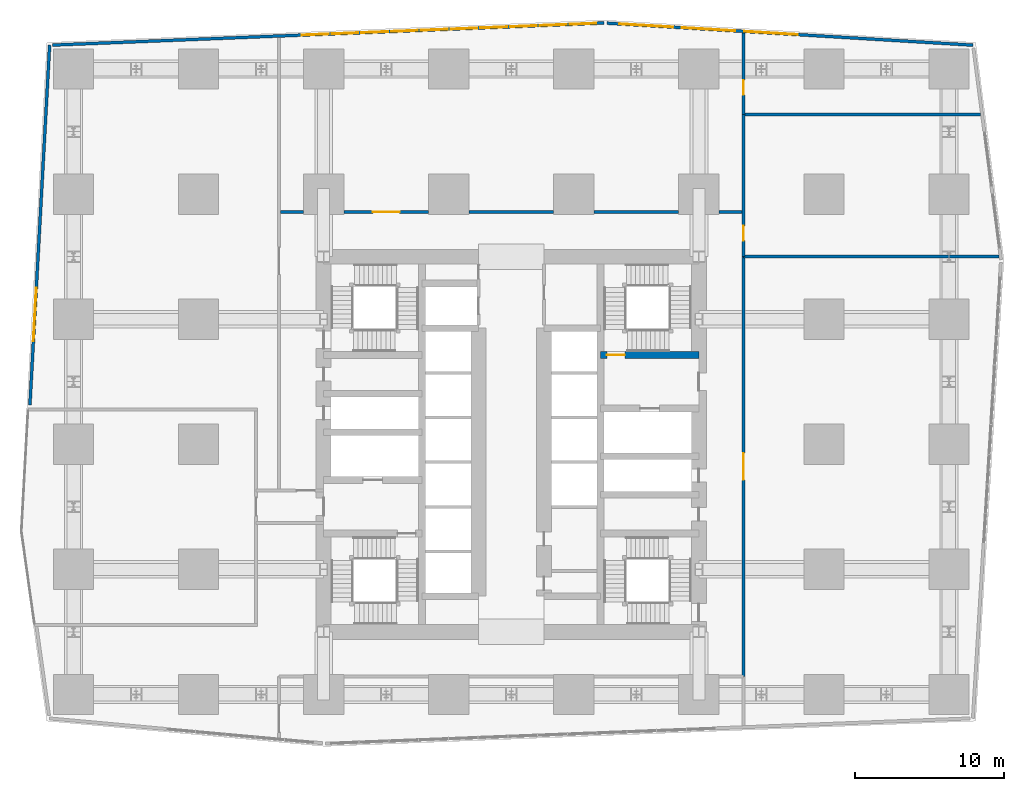
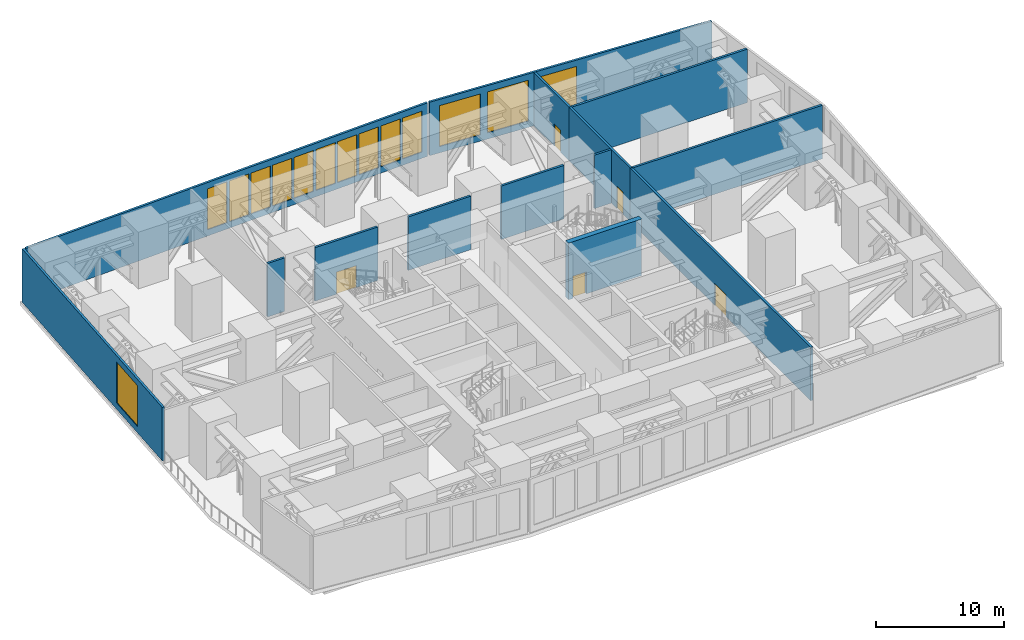
# One storey, part 11 of 16: 14 walls, 14 windows, 5 doors, 19 openings.
"""IFC4 building model written with IfcOpenShell, lengths in metres."""

import ifcopenshell
import ifcopenshell.guid

model = None  # the IFC model being written
_history = None  # IfcOwnerHistory: only IFC2X3 demands one
_inside = {}  # id of a spatial element -> (the spatial element, [elements in it])
_under = {}  # id of a project, library or spatial element -> (it, [spatial elements below it])
_declared = {}  # id of a project -> (the project, [libraries it declares])
_typed = {}  # id of a type object -> (the type object, [elements of that type])
_made_of = {}  # id of a material, layer set ... -> (it, [elements and type objects made of it])


def new_model(schema):
    """Start an empty IFC model of exactly this schema.

    Asked for "IFC4X3", IfcOpenShell would pick the latest addendum, in which some entities
    have other attributes; the version numbers below select the first issue.
    IFC2X3 requires an IfcOwnerHistory on every rooted entity: one is made here for all.
    """
    global model, _history
    if schema == "IFC4X3":
        model = ifcopenshell.file(schema_version=(4, 3, 0, 0))
    else:
        model = ifcopenshell.file(schema=schema)
    _inside.clear()
    _under.clear()
    _declared.clear()
    _typed.clear()
    _made_of.clear()
    _history = None
    if model.schema == "IFC2X3":
        org = make("IfcOrganization", Name="unknown")
        user = make(
            "IfcPersonAndOrganization",
            ThePerson=make("IfcPerson", FamilyName="unknown"),
            TheOrganization=org,
        )
        app = make(
            "IfcApplication",
            ApplicationDeveloper=org,
            Version="unknown",
            ApplicationFullName="unknown",
            ApplicationIdentifier="unknown",
        )
        _history = make(
            "IfcOwnerHistory",
            OwningUser=user,
            OwningApplication=app,
            ChangeAction="ADDED",
            CreationDate=0,
        )
    return model


def make(cls, **values):
    """One entity of the class cls with the attributes given. An attribute that is None is left unset."""
    return model.create_entity(
        cls, **{name: value for name, value in values.items() if value is not None}
    )


def rooted(cls, **values):
    """An entity with a GlobalId (a new one), such as an element, a storey or a relation."""
    return make(cls, GlobalId=ifcopenshell.guid.new(), OwnerHistory=_history, **values)


def si_unit(unit_type, name, prefix=None):
    """IfcSIUnit, for example si_unit("LENGTHUNIT", "METRE", prefix="MILLI")."""
    return make("IfcSIUnit", UnitType=unit_type, Prefix=prefix, Name=name)


def assignment(units):
    """IfcUnitAssignment: the units of a project."""
    return None if units is None else make("IfcUnitAssignment", Units=units)


def point(xyz):
    """IfcCartesianPoint."""
    return None if xyz is None else make("IfcCartesianPoint", Coordinates=xyz)


def direction(xyz):
    """IfcDirection."""
    return None if xyz is None else make("IfcDirection", DirectionRatios=xyz)


def frame(location, z_axis=None, x_axis=None):
    """IfcAxis2Placement3D, a coordinate frame: its origin and axes. An axis left out is left unset."""
    return make(
        "IfcAxis2Placement3D",
        Location=point(location),
        Axis=direction(z_axis),
        RefDirection=direction(x_axis),
    )


def frame_2d(location, x_axis=None):
    """IfcAxis2Placement2D, a coordinate frame in the plane: its origin and x axis."""
    return make(
        "IfcAxis2Placement2D", Location=point(location), RefDirection=direction(x_axis)
    )


def origin():
    """The frame at (0, 0, 0) with its axes left unset."""
    return frame((0.0, 0.0, 0.0))


def place(relative_to, where):
    """IfcLocalPlacement: puts the frame where relative to a parent placement (None: the world)."""
    return make(
        "IfcLocalPlacement", PlacementRelTo=relative_to, RelativePlacement=where
    )


def context(
    kind, dimensions, precision=None, world=None, true_north=None, identifier=None
):
    """IfcGeometricRepresentationContext, for example the 3D "Model" context."""
    return make(
        "IfcGeometricRepresentationContext",
        ContextIdentifier=identifier,
        ContextType=kind,
        CoordinateSpaceDimension=dimensions,
        Precision=precision,
        WorldCoordinateSystem=world,
        TrueNorth=true_north,
    )


def subcontext(parent, identifier, kind, view, scale=None):
    """IfcGeometricRepresentationSubContext, for example "Body" below "Model"."""
    return make(
        "IfcGeometricRepresentationSubContext",
        ContextIdentifier=identifier,
        ContextType=kind,
        ParentContext=parent,
        TargetScale=scale,
        TargetView=view,
    )


def project(units=None, contexts=None):
    """IfcProject with its units and contexts."""
    return rooted(
        "IfcProject",
        Name="project",
        RepresentationContexts=contexts,
        UnitsInContext=assignment(units),
    )


def spatial(cls, under=None, at=None, **own):
    """A site, building, storey or space (cls), placed at a placement, below another one or the project."""
    s = rooted(cls, ObjectPlacement=at, **own)
    if under is not None:
        _under.setdefault(under.id(), (under, []))[1].append(s)
    return s


def profile(cls, at=None, kind="AREA", **sizes):
    """A parametric profile (cls). Its sizes go by their IFC names, for example OverallWidth=200.0."""
    return make(cls, ProfileType=kind, Position=at, **sizes)


def rectangle(**sizes):
    """IfcRectangleProfileDef."""
    return profile("IfcRectangleProfileDef", **sizes)


def extrude(swept, where, along, depth):
    """IfcExtrudedAreaSolid: the profile swept, set in the frame where, extruded along a direction by depth."""
    return make(
        "IfcExtrudedAreaSolid",
        SweptArea=swept,
        Position=where,
        ExtrudedDirection=direction(along),
        Depth=depth,
    )


def shape(context_of_items, identifier, shape_type, items):
    """IfcShapeRepresentation: the items that make up one representation, for example the "Body"."""
    return make(
        "IfcShapeRepresentation",
        ContextOfItems=context_of_items,
        RepresentationIdentifier=identifier,
        RepresentationType=shape_type,
        Items=items,
    )


def material(Name=None, Category=None):
    """IfcMaterial."""
    return make("IfcMaterial", Name=Name, Category=Category)


def layer(
    of_material, thickness, ventilated=None, Name=None, Category=None, Priority=None
):
    """IfcMaterialLayer: one layer of a wall or slab, of a material (None: an air gap)."""
    return make(
        "IfcMaterialLayer",
        Material=of_material,
        LayerThickness=thickness,
        IsVentilated=ventilated,
        Name=Name,
        Category=Category,
        Priority=Priority,
    )


def layer_set(layers, Name=None):
    """IfcMaterialLayerSet."""
    return make("IfcMaterialLayerSet", MaterialLayers=layers, LayerSetName=Name)


def made_of(thing, what):
    """Note that an element or type object is made of a material, layer set ...; save() writes the relation."""
    if what is not None:
        _made_of.setdefault(what.id(), (what, []))[1].append(thing)
    return thing


def type_object(cls, material=None, **own):
    """A type object (cls), such as IfcWallType, which elements share."""
    return made_of(rooted(cls, **own), material)


def element(
    cls,
    number,
    at=None,
    inside=None,
    cuts=None,
    type_object=None,
    material=None,
    context=None,
    identifier="Body",
    shape_type=None,
    held_by="IfcProductDefinitionShape",
    body=None,
    shapes=None,
    **own,
):
    """One element of the class cls, such as IfcWall. Its Tag is "e" and its number.

    at: its placement. inside: the storey or other place that contains it. cuts: it is an
    opening in that element (IfcRelVoidsElement). A single representation is given by context,
    identifier, shape_type and body (its items); several are given by shapes. held_by: the class
    of the entity that holds the representations. save() writes the other relations.
    """
    e = rooted(cls, Tag="e%d" % number, ObjectPlacement=at, **own)
    if body is not None:
        shapes = [shape(context, identifier, shape_type, body)]
    if shapes is not None:
        e.Representation = make(held_by, Representations=shapes)
    if inside is not None:
        _inside.setdefault(inside.id(), (inside, []))[1].append(e)
    if cuts is not None:
        rooted(
            "IfcRelVoidsElement", RelatingBuildingElement=cuts, RelatedOpeningElement=e
        )
    if type_object is not None:
        _typed.setdefault(type_object.id(), (type_object, []))[1].append(e)
    return made_of(e, material)


def fill(opening, filler):
    """IfcRelFillsElement: the door or window that sits in an opening."""
    return rooted(
        "IfcRelFillsElement",
        RelatingOpeningElement=opening,
        RelatedBuildingElement=filler,
    )


def aggregate(whole, parts):
    """IfcRelAggregates: a whole, such as a stair, and the parts it consists of."""
    return rooted("IfcRelAggregates", RelatingObject=whole, RelatedObjects=parts)


def save(model, path):
    """Write the relations noted so far, then the file.

    IfcRelAggregates (storeys below a building ...), IfcRelContainedInSpatialStructure (elements
    in a storey), IfcRelDefinesByType, IfcRelAssociatesMaterial and IfcRelDeclares: one each for
    every whole, place, type object, material and project.
    """
    for whole, parts in _under.values():
        aggregate(whole, parts)
    for where, things in _inside.values():
        rooted(
            "IfcRelContainedInSpatialStructure",
            RelatedElements=things,
            RelatingStructure=where,
        )
    for kind, things in _typed.values():
        rooted("IfcRelDefinesByType", RelatedObjects=things, RelatingType=kind)
    for what, things in _made_of.values():
        rooted("IfcRelAssociatesMaterial", RelatedObjects=things, RelatingMaterial=what)
    for by, libraries in _declared.values():
        rooted("IfcRelDeclares", RelatingContext=by, RelatedDefinitions=libraries)
    model.write(path)


model = new_model("IFC4")

# Units and contexts
model_context = context("Model", 3, precision=1e-05, world=origin(), true_north=direction((0.0, 1.0)))
body_context = subcontext(model_context, "Body", "Model", "MODEL_VIEW")
ifc_project = project(units=[si_unit("LENGTHUNIT", "METRE"), si_unit("AREAUNIT", "SQUARE_METRE"), si_unit("VOLUMEUNIT", "CUBIC_METRE"), si_unit("PLANEANGLEUNIT", "RADIAN"), si_unit("MASSUNIT", "GRAM", prefix="KILO")], contexts=[model_context])

# Site, building, storey
site_placement = place(None, origin())
site = spatial("IfcSite", under=ifc_project, at=site_placement, CompositionType="ELEMENT")
building_placement = place(site_placement, origin())
building = spatial("IfcBuilding", under=site, at=building_placement, Name="Rekha Terrace Tower", CompositionType="ELEMENT")
storey_placement = place(building_placement, frame((0.0, 0.0, 162.800048828125)))
storey = spatial("IfcBuildingStorey", under=building, at=storey_placement, Name="L41", CompositionType="ELEMENT", Elevation=162.800048828125)

# Wall, opening, door
ifc_material_1 = material(Name="Concrete M60", Category="concrete")
ifc_layer_1 = layer(ifc_material_1, 0.449951171875)
ifc_layer_set_1 = layer_set([ifc_layer_1], Name="Concrete M60")
wall_type_1 = type_object("IfcWallType", Name="CI3 450 core internal shear wall", PredefinedType="SHEAR", material=ifc_layer_set_1)
wall_1_placement = place(storey_placement, frame((43.800048828125, 39.60009765625, 0.0), z_axis=(0.0, 0.0, 1.0), x_axis=(1.0, 0.0, 0.0)))
wall_1 = element("IfcWall", 1, at=wall_1_placement, inside=storey, type_object=wall_type_1, Name="Core wall Y396E L41", PredefinedType="SHEAR", context=body_context, shape_type="SweptSolid", body=[
    extrude(rectangle(XDim=6.599853515625, YDim=0.449951171875, at=frame_2d((3.2998046875, 0.0))), origin(), (0.0, 0.0, 1.0), 5.39990234375),
])
opening_1_placement = place(wall_1_placement, frame((0.425048828125, 0.0, 0.0)))
opening_1 = element("IfcOpeningElement", 2, at=opening_1_placement, cuts=wall_1, Name="Opening D1", PredefinedType="OPENING", context=body_context, shape_type="SweptSolid", body=[
    extrude(rectangle(XDim=1.199951171875, YDim=2.10009765625, at=frame_2d((0.60009765625, 1.050048828125))), frame((0.0, 0.23486328125, 0.0), z_axis=(0.0, -1.0, 0.0), x_axis=(1.0, 0.0, 0.0)), (0.0, 0.0, 1.0), 0.469970703125),
])
ifc_material_2 = material(Name="Steel fire door", Category="steel")
door_type_1 = type_object("IfcDoorType", Name="D1 1200x2100 stair fire door", OperationType="SINGLE_SWING_RIGHT", PredefinedType="DOOR", material=ifc_material_2)
door_1_placement = place(opening_1_placement, origin())
door_1 = element("IfcDoor", 3, at=door_1_placement, inside=storey, type_object=door_type_1, Name="Stair ST2 door L41", OperationType="SINGLE_SWING_RIGHT", OverallHeight=2.10009765625, OverallWidth=1.199951171875, PredefinedType="DOOR", context=body_context, shape_type="SweptSolid", body=[
    extrude(rectangle(XDim=1.199951171875, YDim=2.10009765625, at=frame_2d((0.60009765625, 1.050048828125))), frame((0.0, 0.02490234375, 0.0), z_axis=(0.0, -1.0, 0.0), x_axis=(1.0, 0.0, 0.0)), (0.0, 0.0, 1.0), 0.050048828125),
])
fill(opening_1, door_1)

# Wall, openings, windows
ifc_material_3 = material(Name="Aluminium cladding on steel stud wall", Category="steel")
ifc_layer_2 = layer(ifc_material_3, 0.199951171875)
ifc_layer_set_2 = layer_set([ifc_layer_2], Name="Aluminium cladding on steel stud wall")
wall_type_2 = type_object("IfcWallType", Name="EW1 plant floor louvre wall 200", PredefinedType="SOLIDWALL", material=ifc_layer_set_2)
wall_2_placement = place(storey_placement, frame((68.822998046875, 60.41015625, 0.0), z_axis=(0.0, 0.0, 1.0), x_axis=(-0.9981989857, 0.059989873701, 0.0)))
wall_2 = element("IfcWall", 4, at=wall_2_placement, inside=storey, type_object=wall_type_2, Name="Plant floor louvre wall", PredefinedType="SOLIDWALL", context=body_context, shape_type="SweptSolid", body=[
    extrude(rectangle(XDim=24.6298828125, YDim=0.199951171875, at=frame_2d((12.31494140625, 0.0))), origin(), (0.0, 0.0, 1.0), 5.099853515625),
])
opening_2_placement = place(wall_2_placement, frame((11.794921875, 0.0, 0.60009765625)))
opening_2 = element("IfcOpeningElement", 5, at=opening_2_placement, cuts=wall_2, Name="Opening LV1", PredefinedType="OPENING", context=body_context, shape_type="SweptSolid", body=[
    extrude(rectangle(XDim=3.60009765625, YDim=3.89990234375, at=frame_2d((1.800048828125, 1.949951171875))), frame((0.0, 0.10986328125, 0.0), z_axis=(0.0, -1.0, 0.0), x_axis=(1.0, 0.0, 0.0)), (0.0, 0.0, 1.0), 0.219970703125),
])
opening_3_placement = place(wall_2_placement, frame((15.994873046875, 0.0, 0.60009765625)))
opening_3 = element("IfcOpeningElement", 6, at=opening_3_placement, cuts=wall_2, Name="Opening LV1", PredefinedType="OPENING", context=body_context, shape_type="SweptSolid", body=[
    extrude(rectangle(XDim=3.60009765625, YDim=3.89990234375, at=frame_2d((1.800048828125, 1.949951171875))), frame((0.0, 0.10986328125, 0.0), z_axis=(0.0, -1.0, 0.0), x_axis=(1.0, 0.0, 0.0)), (0.0, 0.0, 1.0), 0.219970703125),
])
opening_4_placement = place(wall_2_placement, frame((20.19482421875, 0.0, 0.60009765625)))
opening_4 = element("IfcOpeningElement", 7, at=opening_4_placement, cuts=wall_2, Name="Opening LV1", PredefinedType="OPENING", context=body_context, shape_type="SweptSolid", body=[
    extrude(rectangle(XDim=3.60009765625, YDim=3.89990234375, at=frame_2d((1.800048828125, 1.949951171875))), frame((0.0, 0.10986328125, 0.0), z_axis=(0.0, -1.0, 0.0), x_axis=(1.0, 0.0, 0.0)), (0.0, 0.0, 1.0), 0.219970703125),
])
ifc_material_4 = material(Name="Extruded aluminium weather louvre", Category="aluminium")
window_type_1 = type_object("IfcWindowType", Name="LV1 plant louvre 3600", PartitioningType="SINGLE_PANEL", PredefinedType="USERDEFINED", material=ifc_material_4)
window_1_placement = place(opening_2_placement, origin())
window_1 = element("IfcWindow", 8, at=window_1_placement, inside=storey, type_object=window_type_1, Name="Plant louvre", ObjectType="LOUVRE", OverallHeight=3.89990234375, OverallWidth=3.60009765625, PartitioningType="SINGLE_PANEL", PredefinedType="USERDEFINED", context=body_context, shape_type="SweptSolid", body=[
    extrude(rectangle(XDim=3.60009765625, YDim=3.89990234375, at=frame_2d((1.800048828125, 1.949951171875))), frame((0.0, 0.030029296875, 0.0), z_axis=(0.0, -1.0, 0.0), x_axis=(1.0, 0.0, 0.0)), (0.0, 0.0, 1.0), 0.06005859375),
])
fill(opening_2, window_1)
window_2_placement = place(opening_3_placement, origin())
window_2 = element("IfcWindow", 9, at=window_2_placement, inside=storey, type_object=window_type_1, Name="Plant louvre", ObjectType="LOUVRE", OverallHeight=3.89990234375, OverallWidth=3.60009765625, PartitioningType="SINGLE_PANEL", PredefinedType="USERDEFINED", context=body_context, shape_type="SweptSolid", body=[
    extrude(rectangle(XDim=3.60009765625, YDim=3.89990234375, at=frame_2d((1.800048828125, 1.949951171875))), frame((0.0, 0.030029296875, 0.0), z_axis=(0.0, -1.0, 0.0), x_axis=(1.0, 0.0, 0.0)), (0.0, 0.0, 1.0), 0.06005859375),
])
fill(opening_3, window_2)
window_3_placement = place(opening_4_placement, origin())
window_3 = element("IfcWindow", 10, at=window_3_placement, inside=storey, type_object=window_type_1, Name="Plant louvre", ObjectType="LOUVRE", OverallHeight=3.89990234375, OverallWidth=3.60009765625, PartitioningType="SINGLE_PANEL", PredefinedType="USERDEFINED", context=body_context, shape_type="SweptSolid", body=[
    extrude(rectangle(XDim=3.60009765625, YDim=3.89990234375, at=frame_2d((1.800048828125, 1.949951171875))), frame((0.0, 0.030029296875, 0.0), z_axis=(0.0, -1.0, 0.0), x_axis=(1.0, 0.0, 0.0)), (0.0, 0.0, 1.0), 0.06005859375),
])
fill(opening_4, window_3)

wall_3_placement = place(storey_placement, frame((44.0380859375, 61.899658203125, 0.0), z_axis=(0.0, 0.0, 1.0), x_axis=(-0.999198600884, -0.040026940809, 0.0)))
wall_3 = element("IfcWall", 11, at=wall_3_placement, inside=storey, type_object=wall_type_2, Name="Plant floor louvre wall", PredefinedType="SOLIDWALL", context=body_context, shape_type="SweptSolid", body=[
    extrude(rectangle(XDim=37.078369140625, YDim=0.199951171875, at=frame_2d((18.5390625, 0.0))), origin(), (0.0, 0.0, 1.0), 5.099853515625),
])
opening_5_placement = place(wall_3_placement, frame((0.51611328125, 0.0, 0.60009765625)))
opening_5 = element("IfcOpeningElement", 12, at=opening_5_placement, cuts=wall_3, Name="Opening LV2", PredefinedType="OPENING", context=body_context, shape_type="SweptSolid", body=[
    extrude(rectangle(XDim=1.800048828125, YDim=3.89990234375, at=frame_2d((0.89990234375, 1.949951171875))), frame((0.0, 0.10986328125, 0.0), z_axis=(0.0, -1.0, 0.0), x_axis=(1.0, 0.0, 0.0)), (0.0, 0.0, 1.0), 0.219970703125),
])
opening_6_placement = place(wall_3_placement, frame((2.51611328125, 0.0, 0.60009765625)))
opening_6 = element("IfcOpeningElement", 13, at=opening_6_placement, cuts=wall_3, Name="Opening LV2", PredefinedType="OPENING", context=body_context, shape_type="SweptSolid", body=[
    extrude(rectangle(XDim=1.800048828125, YDim=3.89990234375, at=frame_2d((0.89990234375, 1.949951171875))), frame((0.0, 0.10986328125, 0.0), z_axis=(0.0, -1.0, 0.0), x_axis=(1.0, 0.0, 0.0)), (0.0, 0.0, 1.0), 0.219970703125),
])
opening_7_placement = place(wall_3_placement, frame((4.51611328125, 0.0, 0.60009765625)))
opening_7 = element("IfcOpeningElement", 14, at=opening_7_placement, cuts=wall_3, Name="Opening LV2", PredefinedType="OPENING", context=body_context, shape_type="SweptSolid", body=[
    extrude(rectangle(XDim=1.800048828125, YDim=3.89990234375, at=frame_2d((0.89990234375, 1.949951171875))), frame((0.0, 0.10986328125, 0.0), z_axis=(0.0, -1.0, 0.0), x_axis=(1.0, 0.0, 0.0)), (0.0, 0.0, 1.0), 0.219970703125),
])
opening_8_placement = place(wall_3_placement, frame((6.51611328125, 0.0, 0.60009765625)))
opening_8 = element("IfcOpeningElement", 15, at=opening_8_placement, cuts=wall_3, Name="Opening LV2", PredefinedType="OPENING", context=body_context, shape_type="SweptSolid", body=[
    extrude(rectangle(XDim=1.800048828125, YDim=3.89990234375, at=frame_2d((0.89990234375, 1.949951171875))), frame((0.0, 0.10986328125, 0.0), z_axis=(0.0, -1.0, 0.0), x_axis=(1.0, 0.0, 0.0)), (0.0, 0.0, 1.0), 0.219970703125),
])
opening_9_placement = place(wall_3_placement, frame((8.51611328125, 0.0, 0.60009765625)))
opening_9 = element("IfcOpeningElement", 16, at=opening_9_placement, cuts=wall_3, Name="Opening LV2", PredefinedType="OPENING", context=body_context, shape_type="SweptSolid", body=[
    extrude(rectangle(XDim=1.800048828125, YDim=3.89990234375, at=frame_2d((0.89990234375, 1.949951171875))), frame((0.0, 0.10986328125, 0.0), z_axis=(0.0, -1.0, 0.0), x_axis=(1.0, 0.0, 0.0)), (0.0, 0.0, 1.0), 0.219970703125),
])
opening_10_placement = place(wall_3_placement, frame((10.51611328125, 0.0, 0.60009765625)))
opening_10 = element("IfcOpeningElement", 17, at=opening_10_placement, cuts=wall_3, Name="Opening LV2", PredefinedType="OPENING", context=body_context, shape_type="SweptSolid", body=[
    extrude(rectangle(XDim=1.800048828125, YDim=3.89990234375, at=frame_2d((0.89990234375, 1.949951171875))), frame((0.0, 0.10986328125, 0.0), z_axis=(0.0, -1.0, 0.0), x_axis=(1.0, 0.0, 0.0)), (0.0, 0.0, 1.0), 0.219970703125),
])
opening_11_placement = place(wall_3_placement, frame((12.51611328125, 0.0, 0.60009765625)))
opening_11 = element("IfcOpeningElement", 18, at=opening_11_placement, cuts=wall_3, Name="Opening LV2", PredefinedType="OPENING", context=body_context, shape_type="SweptSolid", body=[
    extrude(rectangle(XDim=1.800048828125, YDim=3.89990234375, at=frame_2d((0.89990234375, 1.949951171875))), frame((0.0, 0.10986328125, 0.0), z_axis=(0.0, -1.0, 0.0), x_axis=(1.0, 0.0, 0.0)), (0.0, 0.0, 1.0), 0.219970703125),
])
opening_12_placement = place(wall_3_placement, frame((14.51611328125, 0.0, 0.60009765625)))
opening_12 = element("IfcOpeningElement", 19, at=opening_12_placement, cuts=wall_3, Name="Opening LV2", PredefinedType="OPENING", context=body_context, shape_type="SweptSolid", body=[
    extrude(rectangle(XDim=1.800048828125, YDim=3.89990234375, at=frame_2d((0.89990234375, 1.949951171875))), frame((0.0, 0.10986328125, 0.0), z_axis=(0.0, -1.0, 0.0), x_axis=(1.0, 0.0, 0.0)), (0.0, 0.0, 1.0), 0.219970703125),
])
opening_13_placement = place(wall_3_placement, frame((16.51611328125, 0.0, 0.60009765625)))
opening_13 = element("IfcOpeningElement", 20, at=opening_13_placement, cuts=wall_3, Name="Opening LV2", PredefinedType="OPENING", context=body_context, shape_type="SweptSolid", body=[
    extrude(rectangle(XDim=1.800048828125, YDim=3.89990234375, at=frame_2d((0.89990234375, 1.949951171875))), frame((0.0, 0.10986328125, 0.0), z_axis=(0.0, -1.0, 0.0), x_axis=(1.0, 0.0, 0.0)), (0.0, 0.0, 1.0), 0.219970703125),
])
opening_14_placement = place(wall_3_placement, frame((18.51611328125, 0.0, 0.60009765625)))
opening_14 = element("IfcOpeningElement", 21, at=opening_14_placement, cuts=wall_3, Name="Opening LV2", PredefinedType="OPENING", context=body_context, shape_type="SweptSolid", body=[
    extrude(rectangle(XDim=1.800048828125, YDim=3.89990234375, at=frame_2d((0.89990234375, 1.949951171875))), frame((0.0, 0.10986328125, 0.0), z_axis=(0.0, -1.0, 0.0), x_axis=(1.0, 0.0, 0.0)), (0.0, 0.0, 1.0), 0.219970703125),
])
window_type_2 = type_object("IfcWindowType", Name="LV2 plant louvre 1800", PartitioningType="SINGLE_PANEL", PredefinedType="USERDEFINED", material=ifc_material_4)
window_4_placement = place(opening_5_placement, origin())
window_4 = element("IfcWindow", 22, at=window_4_placement, inside=storey, type_object=window_type_2, Name="Plant louvre", ObjectType="LOUVRE", OverallHeight=3.89990234375, OverallWidth=1.800048828125, PartitioningType="SINGLE_PANEL", PredefinedType="USERDEFINED", context=body_context, shape_type="SweptSolid", body=[
    extrude(rectangle(XDim=1.800048828125, YDim=3.89990234375, at=frame_2d((0.89990234375, 1.949951171875))), frame((0.0, 0.030029296875, 0.0), z_axis=(0.0, -1.0, 0.0), x_axis=(1.0, 0.0, 0.0)), (0.0, 0.0, 1.0), 0.06005859375),
])
fill(opening_5, window_4)
window_5_placement = place(opening_6_placement, origin())
window_5 = element("IfcWindow", 23, at=window_5_placement, inside=storey, type_object=window_type_2, Name="Plant louvre", ObjectType="LOUVRE", OverallHeight=3.89990234375, OverallWidth=1.800048828125, PartitioningType="SINGLE_PANEL", PredefinedType="USERDEFINED", context=body_context, shape_type="SweptSolid", body=[
    extrude(rectangle(XDim=1.800048828125, YDim=3.89990234375, at=frame_2d((0.89990234375, 1.949951171875))), frame((0.0, 0.030029296875, 0.0), z_axis=(0.0, -1.0, 0.0), x_axis=(1.0, 0.0, 0.0)), (0.0, 0.0, 1.0), 0.06005859375),
])
fill(opening_6, window_5)
window_6_placement = place(opening_7_placement, origin())
window_6 = element("IfcWindow", 24, at=window_6_placement, inside=storey, type_object=window_type_2, Name="Plant louvre", ObjectType="LOUVRE", OverallHeight=3.89990234375, OverallWidth=1.800048828125, PartitioningType="SINGLE_PANEL", PredefinedType="USERDEFINED", context=body_context, shape_type="SweptSolid", body=[
    extrude(rectangle(XDim=1.800048828125, YDim=3.89990234375, at=frame_2d((0.89990234375, 1.949951171875))), frame((0.0, 0.030029296875, 0.0), z_axis=(0.0, -1.0, 0.0), x_axis=(1.0, 0.0, 0.0)), (0.0, 0.0, 1.0), 0.06005859375),
])
fill(opening_7, window_6)
window_7_placement = place(opening_8_placement, origin())
window_7 = element("IfcWindow", 25, at=window_7_placement, inside=storey, type_object=window_type_2, Name="Plant louvre", ObjectType="LOUVRE", OverallHeight=3.89990234375, OverallWidth=1.800048828125, PartitioningType="SINGLE_PANEL", PredefinedType="USERDEFINED", context=body_context, shape_type="SweptSolid", body=[
    extrude(rectangle(XDim=1.800048828125, YDim=3.89990234375, at=frame_2d((0.89990234375, 1.949951171875))), frame((0.0, 0.030029296875, 0.0), z_axis=(0.0, -1.0, 0.0), x_axis=(1.0, 0.0, 0.0)), (0.0, 0.0, 1.0), 0.06005859375),
])
fill(opening_8, window_7)
window_8_placement = place(opening_9_placement, origin())
window_8 = element("IfcWindow", 26, at=window_8_placement, inside=storey, type_object=window_type_2, Name="Plant louvre", ObjectType="LOUVRE", OverallHeight=3.89990234375, OverallWidth=1.800048828125, PartitioningType="SINGLE_PANEL", PredefinedType="USERDEFINED", context=body_context, shape_type="SweptSolid", body=[
    extrude(rectangle(XDim=1.800048828125, YDim=3.89990234375, at=frame_2d((0.89990234375, 1.949951171875))), frame((0.0, 0.030029296875, 0.0), z_axis=(0.0, -1.0, 0.0), x_axis=(1.0, 0.0, 0.0)), (0.0, 0.0, 1.0), 0.06005859375),
])
fill(opening_9, window_8)
window_9_placement = place(opening_10_placement, origin())
window_9 = element("IfcWindow", 27, at=window_9_placement, inside=storey, type_object=window_type_2, Name="Plant louvre", ObjectType="LOUVRE", OverallHeight=3.89990234375, OverallWidth=1.800048828125, PartitioningType="SINGLE_PANEL", PredefinedType="USERDEFINED", context=body_context, shape_type="SweptSolid", body=[
    extrude(rectangle(XDim=1.800048828125, YDim=3.89990234375, at=frame_2d((0.89990234375, 1.949951171875))), frame((0.0, 0.030029296875, 0.0), z_axis=(0.0, -1.0, 0.0), x_axis=(1.0, 0.0, 0.0)), (0.0, 0.0, 1.0), 0.06005859375),
])
fill(opening_10, window_9)
window_10_placement = place(opening_11_placement, origin())
window_10 = element("IfcWindow", 28, at=window_10_placement, inside=storey, type_object=window_type_2, Name="Plant louvre", ObjectType="LOUVRE", OverallHeight=3.89990234375, OverallWidth=1.800048828125, PartitioningType="SINGLE_PANEL", PredefinedType="USERDEFINED", context=body_context, shape_type="SweptSolid", body=[
    extrude(rectangle(XDim=1.800048828125, YDim=3.89990234375, at=frame_2d((0.89990234375, 1.949951171875))), frame((0.0, 0.030029296875, 0.0), z_axis=(0.0, -1.0, 0.0), x_axis=(1.0, 0.0, 0.0)), (0.0, 0.0, 1.0), 0.06005859375),
])
fill(opening_11, window_10)
window_11_placement = place(opening_12_placement, origin())
window_11 = element("IfcWindow", 29, at=window_11_placement, inside=storey, type_object=window_type_2, Name="Plant louvre", ObjectType="LOUVRE", OverallHeight=3.89990234375, OverallWidth=1.800048828125, PartitioningType="SINGLE_PANEL", PredefinedType="USERDEFINED", context=body_context, shape_type="SweptSolid", body=[
    extrude(rectangle(XDim=1.800048828125, YDim=3.89990234375, at=frame_2d((0.89990234375, 1.949951171875))), frame((0.0, 0.030029296875, 0.0), z_axis=(0.0, -1.0, 0.0), x_axis=(1.0, 0.0, 0.0)), (0.0, 0.0, 1.0), 0.06005859375),
])
fill(opening_12, window_11)
window_12_placement = place(opening_13_placement, origin())
window_12 = element("IfcWindow", 30, at=window_12_placement, inside=storey, type_object=window_type_2, Name="Plant louvre", ObjectType="LOUVRE", OverallHeight=3.89990234375, OverallWidth=1.800048828125, PartitioningType="SINGLE_PANEL", PredefinedType="USERDEFINED", context=body_context, shape_type="SweptSolid", body=[
    extrude(rectangle(XDim=1.800048828125, YDim=3.89990234375, at=frame_2d((0.89990234375, 1.949951171875))), frame((0.0, 0.030029296875, 0.0), z_axis=(0.0, -1.0, 0.0), x_axis=(1.0, 0.0, 0.0)), (0.0, 0.0, 1.0), 0.06005859375),
])
fill(opening_13, window_12)
window_13_placement = place(opening_14_placement, origin())
window_13 = element("IfcWindow", 31, at=window_13_placement, inside=storey, type_object=window_type_2, Name="Plant louvre", ObjectType="LOUVRE", OverallHeight=3.89990234375, OverallWidth=1.800048828125, PartitioningType="SINGLE_PANEL", PredefinedType="USERDEFINED", context=body_context, shape_type="SweptSolid", body=[
    extrude(rectangle(XDim=1.800048828125, YDim=3.89990234375, at=frame_2d((0.89990234375, 1.949951171875))), frame((0.0, 0.030029296875, 0.0), z_axis=(0.0, -1.0, 0.0), x_axis=(1.0, 0.0, 0.0)), (0.0, 0.0, 1.0), 0.06005859375),
])
fill(opening_14, window_13)

# Wall, opening, window
wall_4_placement = place(storey_placement, frame((6.789794921875, 60.407470703125, 0.0), z_axis=(0.0, 0.0, 1.0), x_axis=(-0.054747580089, -0.998500226577, 0.0)))
wall_4 = element("IfcWall", 32, at=wall_4_placement, inside=storey, type_object=wall_type_2, Name="Plant floor louvre wall", PredefinedType="SOLIDWALL", context=body_context, shape_type="SweptSolid", body=[
    extrude(rectangle(XDim=24.201171875, YDim=0.199951171875, at=frame_2d((12.1005859375, 0.0))), origin(), (0.0, 0.0, 1.0), 5.099853515625),
])
opening_15_placement = place(wall_4_placement, frame((16.302734375, 0.0, 0.60009765625)))
opening_15 = element("IfcOpeningElement", 33, at=opening_15_placement, cuts=wall_4, Name="Opening LV1", PredefinedType="OPENING", context=body_context, shape_type="SweptSolid", body=[
    extrude(rectangle(XDim=3.60009765625, YDim=3.89990234375, at=frame_2d((1.800048828125, 1.949951171875))), frame((0.0, 0.10986328125, 0.0), z_axis=(0.0, -1.0, 0.0), x_axis=(1.0, 0.0, 0.0)), (0.0, 0.0, 1.0), 0.219970703125),
])
window_14_placement = place(opening_15_placement, origin())
window_14 = element("IfcWindow", 34, at=window_14_placement, inside=storey, type_object=window_type_1, Name="Plant louvre", ObjectType="LOUVRE", OverallHeight=3.89990234375, OverallWidth=3.60009765625, PartitioningType="SINGLE_PANEL", PredefinedType="USERDEFINED", context=body_context, shape_type="SweptSolid", body=[
    extrude(rectangle(XDim=3.60009765625, YDim=3.89990234375, at=frame_2d((1.800048828125, 1.949951171875))), frame((0.0, 0.030029296875, 0.0), z_axis=(0.0, -1.0, 0.0), x_axis=(1.0, 0.0, 0.0)), (0.0, 0.0, 1.0), 0.06005859375),
])
fill(opening_15, window_14)

# Wall
ifc_material_5 = material(Name="Solid concrete block masonry, 2 hour", Category="masonry")
ifc_layer_3 = layer(ifc_material_5, 0.199951171875)
ifc_layer_set_3 = layer_set([ifc_layer_3], Name="Solid concrete block masonry, 2 hour")
wall_type_3 = type_object("IfcWallType", Name="WP1 200 plant room wall", PredefinedType="PARTITIONING", material=ifc_layer_set_3)
wall_5_placement = place(storey_placement, frame((70.572021484375, 46.199951171875, 0.0), z_axis=(0.0, 0.0, 1.0), x_axis=(-1.0, 0.0, 0.0)))
element("IfcWall", 35, at=wall_5_placement, inside=storey, type_object=wall_type_3, Name="Partition L41-07", PredefinedType="PARTITIONING", context=body_context, shape_type="SweptSolid", body=[
    extrude(rectangle(XDim=17.172119140625, YDim=0.199951171875, at=frame_2d((8.5859375, 0.0))), origin(), (0.0, 0.0, 1.0), 5.099853515625),
])

# Wall, opening, door
wall_6_placement = place(storey_placement, frame((53.39990234375, 46.199951171875, 0.0), z_axis=(0.0, 0.0, 1.0), x_axis=(0.0, 1.0, 0.0)))
wall_6 = element("IfcWall", 36, at=wall_6_placement, inside=storey, type_object=wall_type_3, Name="Partition L41-07", PredefinedType="PARTITIONING", context=body_context, shape_type="SweptSolid", body=[
    extrude(rectangle(XDim=9.550048828125, YDim=0.199951171875, at=frame_2d((4.77490234375, 0.0))), origin(), (0.0, 0.0, 1.0), 5.099853515625),
])
opening_16_placement = place(wall_6_placement, frame((1.074951171875, 0.0, 0.0)))
opening_16 = element("IfcOpeningElement", 37, at=opening_16_placement, cuts=wall_6, Name="Opening D9", PredefinedType="OPENING", context=body_context, shape_type="SweptSolid", body=[
    extrude(rectangle(XDim=1.0, YDim=2.10009765625, at=frame_2d((0.5, 1.050048828125))), frame((0.0, 0.10986328125, 0.0), z_axis=(0.0, -1.0, 0.0), x_axis=(1.0, 0.0, 0.0)), (0.0, 0.0, 1.0), 0.219970703125),
])
ifc_material_6 = material(Name="Timber fire door", Category="wood")
door_type_2 = type_object("IfcDoorType", Name="D9 1000x2100 office door", OperationType="SINGLE_SWING_LEFT", PredefinedType="DOOR", material=ifc_material_6)
door_2_placement = place(opening_16_placement, origin())
door_2 = element("IfcDoor", 38, at=door_2_placement, inside=storey, type_object=door_type_2, Name="Door transformer room L41", OperationType="SINGLE_SWING_LEFT", OverallHeight=2.10009765625, OverallWidth=1.0, PredefinedType="DOOR", context=body_context, shape_type="SweptSolid", body=[
    extrude(rectangle(XDim=1.0, YDim=2.10009765625, at=frame_2d((0.5, 1.050048828125))), frame((0.0, 0.02490234375, 0.0), z_axis=(0.0, -1.0, 0.0), x_axis=(1.0, 0.0, 0.0)), (0.0, 0.0, 1.0), 0.050048828125),
])
fill(opening_16, door_2)

# Wall
wall_7_placement = place(storey_placement, frame((53.39990234375, 55.75, 0.0), z_axis=(0.0, 0.0, 1.0), x_axis=(1.0, 0.0, 0.0)))
element("IfcWall", 39, at=wall_7_placement, inside=storey, type_object=wall_type_3, Name="Partition L41-07", PredefinedType="PARTITIONING", context=body_context, shape_type="SweptSolid", body=[
    extrude(rectangle(XDim=15.92919921875, YDim=0.199951171875, at=frame_2d((7.964599609375, 0.0))), origin(), (0.0, 0.0, 1.0), 5.099853515625),
])

# Wall, opening, door
wall_8_placement = place(storey_placement, frame((53.39990234375, 55.75, 0.0), z_axis=(0.0, 0.0, 1.0), x_axis=(0.0, 1.0, 0.0)))
wall_8 = element("IfcWall", 40, at=wall_8_placement, inside=storey, type_object=wall_type_3, Name="Partition L41-09", PredefinedType="PARTITIONING", context=body_context, shape_type="SweptSolid", body=[
    extrude(rectangle(XDim=5.487060546875, YDim=0.199951171875, at=frame_2d((2.74365234375, 0.0))), origin(), (0.0, 0.0, 1.0), 5.099853515625),
])
opening_17_placement = place(wall_8_placement, frame((1.319091796875, 0.0, 0.0)))
opening_17 = element("IfcOpeningElement", 41, at=opening_17_placement, cuts=wall_8, Name="Opening D9", PredefinedType="OPENING", context=body_context, shape_type="SweptSolid", body=[
    extrude(rectangle(XDim=1.0, YDim=2.10009765625, at=frame_2d((0.5, 1.050048828125))), frame((0.0, 0.10986328125, 0.0), z_axis=(0.0, -1.0, 0.0), x_axis=(1.0, 0.0, 0.0)), (0.0, 0.0, 1.0), 0.219970703125),
])
door_3_placement = place(opening_17_placement, origin())
door_3 = element("IfcDoor", 42, at=door_3_placement, inside=storey, type_object=door_type_2, Name="Door louvre intake plenum L41", OperationType="SINGLE_SWING_LEFT", OverallHeight=2.10009765625, OverallWidth=1.0, PredefinedType="DOOR", context=body_context, shape_type="SweptSolid", body=[
    extrude(rectangle(XDim=1.0, YDim=2.10009765625, at=frame_2d((0.5, 1.050048828125))), frame((0.0, 0.02490234375, 0.0), z_axis=(0.0, -1.0, 0.0), x_axis=(1.0, 0.0, 0.0)), (0.0, 0.0, 1.0), 0.050048828125),
])
fill(opening_17, door_3)

wall_9_placement = place(storey_placement, frame((53.39990234375, 18.0, 0.0), z_axis=(0.0, 0.0, 1.0), x_axis=(0.0, 1.0, 0.0)))
wall_9 = element("IfcWall", 43, at=wall_9_placement, inside=storey, type_object=wall_type_3, Name="Partition L41-04", PredefinedType="PARTITIONING", context=body_context, shape_type="SweptSolid", body=[
    extrude(rectangle(XDim=28.199951171875, YDim=0.199951171875, at=frame_2d((14.10009765625, 0.0))), origin(), (0.0, 0.0, 1.0), 5.099853515625),
])
opening_18_placement = place(wall_9_placement, frame((13.199951171875, 0.0, 0.0)))
opening_18 = element("IfcOpeningElement", 44, at=opening_18_placement, cuts=wall_9, Name="Opening D6", PredefinedType="OPENING", context=body_context, shape_type="SweptSolid", body=[
    extrude(rectangle(XDim=1.800048828125, YDim=2.10009765625, at=frame_2d((0.89990234375, 1.050048828125))), frame((0.0, 0.10986328125, 0.0), z_axis=(0.0, -1.0, 0.0), x_axis=(1.0, 0.0, 0.0)), (0.0, 0.0, 1.0), 0.219970703125),
])
door_type_3 = type_object("IfcDoorType", Name="D6 1800x2100 plant room double door", OperationType="DOUBLE_DOOR_SINGLE_SWING", PredefinedType="DOOR", material=ifc_material_2)
door_4_placement = place(opening_18_placement, origin())
door_4 = element("IfcDoor", 45, at=door_4_placement, inside=storey, type_object=door_type_3, Name="Door chiller plant room L41", OperationType="DOUBLE_DOOR_SINGLE_SWING", OverallHeight=2.10009765625, OverallWidth=1.800048828125, PredefinedType="DOOR", context=body_context, shape_type="SweptSolid", body=[
    extrude(rectangle(XDim=1.800048828125, YDim=2.10009765625, at=frame_2d((0.89990234375, 1.050048828125))), frame((0.0, 0.02490234375, 0.0), z_axis=(0.0, -1.0, 0.0), x_axis=(1.0, 0.0, 0.0)), (0.0, 0.0, 1.0), 0.050048828125),
])
fill(opening_18, door_4)

# Walls
wall_10_placement = place(storey_placement, frame((53.300048828125, 49.199951171875, 0.0), z_axis=(0.0, 0.0, 1.0), x_axis=(-1.0, 0.0, 0.0)))
element("IfcWall", 46, at=wall_10_placement, inside=storey, type_object=wall_type_3, Name="Partition L41-05", PredefinedType="PARTITIONING", context=body_context, shape_type="SweptSolid", body=[
    extrude(rectangle(XDim=1.530029296875, YDim=0.199951171875, at=frame_2d((0.76513671875, 0.0))), origin(), (0.0, 0.0, 1.0), 5.099853515625),
])
for number, where, z_axis, x_axis, name in (
    (47, (49.030029296875, 49.199951171875, 0.0), (0.0, 0.0, 1.0), (-1.0, 0.0, 0.0), "Partition L41-05"),
    (48, (40.6298828125, 49.199951171875, 0.0), (0.0, 0.0, 1.0), (-1.0, 0.0, 0.0), "Partition L41-05"),
):
    element("IfcWall", number, at=place(storey_placement, frame(where, z_axis=z_axis, x_axis=x_axis)), inside=storey, type_object=wall_type_3, Name=name, PredefinedType="PARTITIONING", context=body_context, shape_type="SweptSolid", body=[
        extrude(rectangle(XDim=5.659912109375, YDim=0.199951171875, at=frame_2d((2.830078125, 0.0))), origin(), (0.0, 0.0, 1.0), 5.099853515625),
    ])

# Wall, opening, door
wall_11_placement = place(storey_placement, frame((32.22998046875, 49.199951171875, 0.0), z_axis=(0.0, 0.0, 1.0), x_axis=(-1.0, 0.0, 0.0)))
wall_11 = element("IfcWall", 49, at=wall_11_placement, inside=storey, type_object=wall_type_3, Name="Partition L41-05", PredefinedType="PARTITIONING", context=body_context, shape_type="SweptSolid", body=[
    extrude(rectangle(XDim=5.659912109375, YDim=0.199951171875, at=frame_2d((2.830078125, 0.0))), origin(), (0.0, 0.0, 1.0), 5.099853515625),
])
opening_19_placement = place(wall_11_placement, frame((1.929931640625, 0.0, 0.0)))
opening_19 = element("IfcOpeningElement", 50, at=opening_19_placement, cuts=wall_11, Name="Opening D6", PredefinedType="OPENING", context=body_context, shape_type="SweptSolid", body=[
    extrude(rectangle(XDim=1.800048828125, YDim=2.10009765625, at=frame_2d((0.89990234375, 1.050048828125))), frame((0.0, 0.10986328125, 0.0), z_axis=(0.0, -1.0, 0.0), x_axis=(1.0, 0.0, 0.0)), (0.0, 0.0, 1.0), 0.219970703125),
])
door_5_placement = place(opening_19_placement, origin())
door_5 = element("IfcDoor", 51, at=door_5_placement, inside=storey, type_object=door_type_3, Name="Door water tank room L41", OperationType="DOUBLE_DOOR_SINGLE_SWING", OverallHeight=2.10009765625, OverallWidth=1.800048828125, PredefinedType="DOOR", context=body_context, shape_type="SweptSolid", body=[
    extrude(rectangle(XDim=1.800048828125, YDim=2.10009765625, at=frame_2d((0.89990234375, 1.050048828125))), frame((0.0, 0.02490234375, 0.0), z_axis=(0.0, -1.0, 0.0), x_axis=(1.0, 0.0, 0.0)), (0.0, 0.0, 1.0), 0.050048828125),
])
fill(opening_19, door_5)

# Wall
wall_12_placement = place(storey_placement, frame((23.830078125, 49.199951171875, 0.0), z_axis=(0.0, 0.0, 1.0), x_axis=(-1.0, 0.0, 0.0)))
element("IfcWall", 52, at=wall_12_placement, inside=storey, type_object=wall_type_3, Name="Partition L41-05", PredefinedType="PARTITIONING", context=body_context, shape_type="SweptSolid", body=[
    extrude(rectangle(XDim=1.530029296875, YDim=0.199951171875, at=frame_2d((0.76513671875, 0.0))), origin(), (0.0, 0.0, 1.0), 5.099853515625),
])

save(model, "model.ifc")
